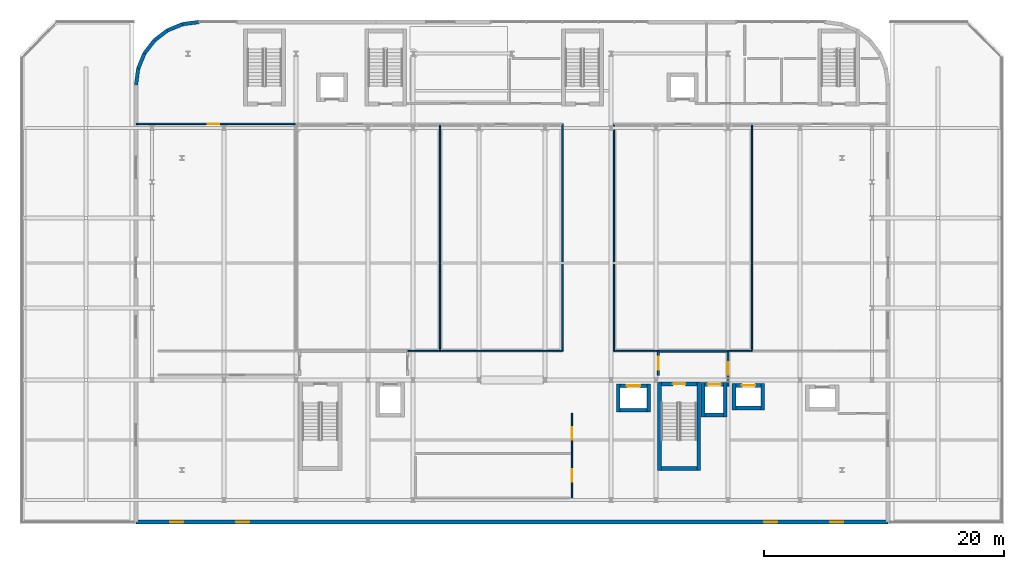
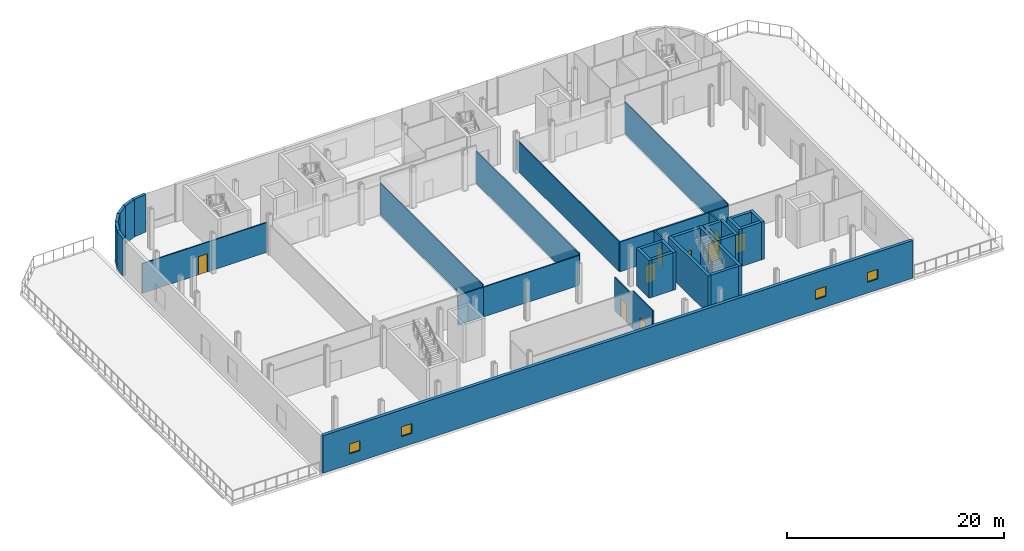
# One storey, part 16 of 26: 37 walls, 9 doors, 4 windows, 13 openings.
"""IFC4 building model written with IfcOpenShell, lengths in metres."""

from ifc_helpers import new_model, si_unit, direction, frame, frame_2d, origin, place, context, subcontext, project, spatial, rectangle, extrude, material, layer, layer_set, type_object, element, fill, save


model = new_model("IFC4")

# Units and contexts
model_context = context("Model", 3, precision=1e-05, world=origin(), true_north=direction((0.0, 1.0)))
body_context = subcontext(model_context, "Body", "Model", "MODEL_VIEW")
ifc_project = project(units=[si_unit("LENGTHUNIT", "METRE"), si_unit("AREAUNIT", "SQUARE_METRE"), si_unit("VOLUMEUNIT", "CUBIC_METRE"), si_unit("PLANEANGLEUNIT", "RADIAN"), si_unit("MASSUNIT", "GRAM", prefix="KILO")], contexts=[model_context])

# Site, building, storey
site_placement = place(None, origin())
site = spatial("IfcSite", under=ifc_project, at=site_placement, CompositionType="ELEMENT")
building_placement = place(site_placement, origin())
building = spatial("IfcBuilding", under=site, at=building_placement, Name="Brevholm Reach", CompositionType="ELEMENT")
storey_placement = place(building_placement, frame((0.0, 0.0, 18.0)))
storey = spatial("IfcBuildingStorey", under=building, at=storey_placement, Name="L04", CompositionType="ELEMENT", Elevation=18.0)

# Walls
ifc_material_1 = material(Name="Concrete C60/75", Category="concrete")
ifc_layer_1 = layer(ifc_material_1, 0.320068359375)
ifc_layer_set_1 = layer_set([ifc_layer_1], Name="Concrete C60/75")
wall_type_1 = type_object("IfcWallType", Name="WAL-COR-320", PredefinedType="SHEAR", material=ifc_layer_set_1)
for number, where, z_axis, x_axis, name in (
    (1, (42.2900390625, 2.4599609375, 0.0), (0.0, 0.0, 1.0), (0.0, 1.0, 0.0), "L04 Escape Stair ST-2 Core Wall W"),
    (2, (45.56005859375, 2.4599609375, 0.0), (0.0, 0.0, 1.0), (0.0, 1.0, 0.0), "L04 Escape Stair ST-2 Core Wall E"),
):
    element("IfcWall", number, at=place(storey_placement, frame(where, z_axis=z_axis, x_axis=x_axis)), inside=storey, type_object=wall_type_1, Name=name, PredefinedType="SHEAR", context=body_context, shape_type="SweptSolid", body=[
        extrude(rectangle(XDim=7.360107421875, YDim=0.320068359375, at=frame_2d((3.68017578125, 0.0))), origin(), (0.0, 0.0, 1.0), 4.219970703125),
    ])
wall_1_placement = place(storey_placement, frame((42.449951171875, 2.6201171875, 0.0), z_axis=(0.0, 0.0, 1.0), x_axis=(1.0, 0.0, 0.0)))
element("IfcWall", 3, at=wall_1_placement, inside=storey, type_object=wall_type_1, Name="L04 Escape Stair ST-2 Core Wall S", PredefinedType="SHEAR", context=body_context, shape_type="SweptSolid", body=[
    extrude(rectangle(XDim=2.949951171875, YDim=0.320068359375, at=frame_2d((1.47509765625, 0.0))), origin(), (0.0, 0.0, 1.0), 4.219970703125),
])

# Wall, opening, door
wall_2_placement = place(storey_placement, frame((45.39990234375, 9.659912109375, 0.0), z_axis=(0.0, 0.0, 1.0), x_axis=(-1.0, 0.0, 0.0)))
wall_2 = element("IfcWall", 4, at=wall_2_placement, inside=storey, type_object=wall_type_1, Name="L04 Escape Stair ST-2 Core Wall N", PredefinedType="SHEAR", context=body_context, shape_type="SweptSolid", body=[
    extrude(rectangle(XDim=2.949951171875, YDim=0.320068359375, at=frame_2d((1.47509765625, 0.0))), origin(), (0.0, 0.0, 1.0), 4.219970703125),
])
opening_1_placement = place(wall_2_placement, frame((0.949951171875, 0.0, 0.0)))
opening_1 = element("IfcOpeningElement", 5, at=opening_1_placement, cuts=wall_2, Name="Opening SD-ST-2", PredefinedType="OPENING", context=body_context, shape_type="SweptSolid", body=[
    extrude(rectangle(XDim=1.050048828125, YDim=2.06005859375, at=frame_2d((0.52490234375, 1.030029296875))), frame((0.0, 0.169921875, 0.0), z_axis=(0.0, -1.0, 0.0), x_axis=(1.0, 0.0, 0.0)), (0.0, 0.0, 1.0), 0.340087890625),
])
ifc_material_2 = material(Name="Hardwood-Lipped Steel-Core Fire and Smoke Door", Category="steel")
door_type_1 = type_object("IfcDoorType", Name="DOR-INT-FD60S", OperationType="NOTDEFINED", PredefinedType="DOOR", material=ifc_material_2)
door_1_placement = place(opening_1_placement, origin())
door_1 = element("IfcDoor", 6, at=door_1_placement, inside=storey, type_object=door_type_1, Name="L04 Protected Stair ST-2 Lobby Door", OperationType="SINGLE_SWING_LEFT", OverallHeight=2.06005859375, OverallWidth=1.050048828125, PredefinedType="DOOR", context=body_context, shape_type="SweptSolid", body=[
    extrude(rectangle(XDim=1.050048828125, YDim=2.06005859375, at=frame_2d((0.52490234375, 1.030029296875))), frame((0.0, 0.02490234375, 0.0), z_axis=(0.0, -1.0, 0.0), x_axis=(1.0, 0.0, 0.0)), (0.0, 0.0, 1.0), 0.050048828125),
])
fill(opening_1, door_1)

# Walls
for number, where, z_axis, x_axis, name in (
    (7, (45.929931640625, 6.919921875, 0.0), (0.0, 0.0, 1.0), (0.0, 1.0, 0.0), "L04 Lift FFL-2 Shaft Wall W"),
    (8, (47.77001953125, 6.919921875, 0.0), (0.0, 0.0, 1.0), (0.0, 1.0, 0.0), "L04 Lift FFL-2 Shaft Wall E"),
):
    element("IfcWall", number, at=place(storey_placement, frame(where, z_axis=z_axis, x_axis=x_axis)), inside=storey, type_object=wall_type_1, Name=name, PredefinedType="SHEAR", context=body_context, shape_type="SweptSolid", body=[
        extrude(rectangle(XDim=2.860107421875, YDim=0.320068359375, at=frame_2d((1.43017578125, 0.0))), origin(), (0.0, 0.0, 1.0), 4.219970703125),
    ])
wall_3_placement = place(storey_placement, frame((46.090087890625, 7.080078125, 0.0), z_axis=(0.0, 0.0, 1.0), x_axis=(1.0, 0.0, 0.0)))
element("IfcWall", 9, at=wall_3_placement, inside=storey, type_object=wall_type_1, Name="L04 Lift FFL-2 Shaft Wall S", PredefinedType="SHEAR", context=body_context, shape_type="SweptSolid", body=[
    extrude(rectangle(XDim=1.52001953125, YDim=0.320068359375, at=frame_2d((0.760009765625, 0.0))), origin(), (0.0, 0.0, 1.0), 4.219970703125),
])

# Wall, opening, door
wall_4_placement = place(storey_placement, frame((46.090087890625, 9.6201171875, 0.0), z_axis=(0.0, 0.0, 1.0), x_axis=(1.0, 0.0, 0.0)))
wall_4 = element("IfcWall", 10, at=wall_4_placement, inside=storey, type_object=wall_type_1, Name="L04 Lift FFL-2 Shaft Wall N", PredefinedType="SHEAR", context=body_context, shape_type="SweptSolid", body=[
    extrude(rectangle(XDim=1.52001953125, YDim=0.320068359375, at=frame_2d((0.760009765625, 0.0))), origin(), (0.0, 0.0, 1.0), 4.219970703125),
])
opening_2_placement = place(wall_4_placement, frame((0.2099609375, 0.0, 0.0)))
opening_2 = element("IfcOpeningElement", 11, at=opening_2_placement, cuts=wall_4, Name="Opening LD-FFL-2", PredefinedType="OPENING", context=body_context, shape_type="SweptSolid", body=[
    extrude(rectangle(XDim=1.10009765625, YDim=2.06005859375, at=frame_2d((0.550048828125, 1.030029296875))), frame((0.0, 0.169921875, 0.0), z_axis=(0.0, -1.0, 0.0), x_axis=(1.0, 0.0, 0.0)), (0.0, 0.0, 1.0), 0.340087890625),
])
ifc_material_3 = material(Name="Brushed Stainless Steel Fire-Rated Sliding Lift Door", Category="steel")
door_type_2 = type_object("IfcDoorType", Name="DOR-LFT-1100", OperationType="NOTDEFINED", PredefinedType="DOOR", material=ifc_material_3)
door_2_placement = place(opening_2_placement, origin())
door_2 = element("IfcDoor", 12, at=door_2_placement, inside=storey, type_object=door_type_2, Name="L04 Lift FFL-2 Sliding Landing Door", OperationType="SLIDING_TO_LEFT", OverallHeight=2.06005859375, OverallWidth=1.10009765625, PredefinedType="DOOR", context=body_context, shape_type="SweptSolid", body=[
    extrude(rectangle(XDim=1.10009765625, YDim=2.06005859375, at=frame_2d((0.550048828125, 1.030029296875))), frame((0.0, 0.02490234375, 0.0), z_axis=(0.0, -1.0, 0.0), x_axis=(1.0, 0.0, 0.0)), (0.0, 0.0, 1.0), 0.050048828125),
])
fill(opening_2, door_2)

# Walls
for number, where, z_axis, x_axis, name in (
    (13, (48.5048828125, 7.4951171875, 0.0), (0.0, 0.0, 1.0), (0.0, 1.0, 0.0), "L04 Lift PL-L1 Shaft Wall W"),
    (14, (50.89501953125, 7.4951171875, 0.0), (0.0, 0.0, 1.0), (0.0, 1.0, 0.0), "L04 Lift PL-L1 Shaft Wall E"),
):
    element("IfcWall", number, at=place(storey_placement, frame(where, z_axis=z_axis, x_axis=x_axis)), inside=storey, type_object=wall_type_1, Name=name, PredefinedType="SHEAR", context=body_context, shape_type="SweptSolid", body=[
        extrude(rectangle(XDim=2.2099609375, YDim=0.320068359375, at=frame_2d((1.10498046875, 0.0))), origin(), (0.0, 0.0, 1.0), 4.219970703125),
    ])
wall_5_placement = place(storey_placement, frame((48.6650390625, 7.655029296875, 0.0), z_axis=(0.0, 0.0, 1.0), x_axis=(1.0, 0.0, 0.0)))
element("IfcWall", 15, at=wall_5_placement, inside=storey, type_object=wall_type_1, Name="L04 Lift PL-L1 Shaft Wall S", PredefinedType="SHEAR", context=body_context, shape_type="SweptSolid", body=[
    extrude(rectangle(XDim=2.070068359375, YDim=0.320068359375, at=frame_2d((1.03515625, 0.0))), origin(), (0.0, 0.0, 1.0), 4.219970703125),
])

# Wall, opening, door
wall_6_placement = place(storey_placement, frame((48.6650390625, 9.544921875, 0.0), z_axis=(0.0, 0.0, 1.0), x_axis=(1.0, 0.0, 0.0)))
wall_6 = element("IfcWall", 16, at=wall_6_placement, inside=storey, type_object=wall_type_1, Name="L04 Lift PL-L1 Shaft Wall N", PredefinedType="SHEAR", context=body_context, shape_type="SweptSolid", body=[
    extrude(rectangle(XDim=2.070068359375, YDim=0.320068359375, at=frame_2d((1.03515625, 0.0))), origin(), (0.0, 0.0, 1.0), 4.219970703125),
])
opening_3_placement = place(wall_6_placement, frame((0.485107421875, 0.0, 0.0)))
opening_3 = element("IfcOpeningElement", 17, at=opening_3_placement, cuts=wall_6, Name="Opening LD-PL-L1", PredefinedType="OPENING", context=body_context, shape_type="SweptSolid", body=[
    extrude(rectangle(XDim=1.10009765625, YDim=2.06005859375, at=frame_2d((0.550048828125, 1.030029296875))), frame((0.0, 0.169921875, 0.0), z_axis=(0.0, -1.0, 0.0), x_axis=(1.0, 0.0, 0.0)), (0.0, 0.0, 1.0), 0.340087890625),
])
door_3_placement = place(opening_3_placement, origin())
door_3 = element("IfcDoor", 18, at=door_3_placement, inside=storey, type_object=door_type_2, Name="L04 Lift PL-L1 Sliding Landing Door", OperationType="SLIDING_TO_RIGHT", OverallHeight=2.06005859375, OverallWidth=1.10009765625, PredefinedType="DOOR", context=body_context, shape_type="SweptSolid", body=[
    extrude(rectangle(XDim=1.10009765625, YDim=2.06005859375, at=frame_2d((0.550048828125, 1.030029296875))), frame((0.0, 0.02490234375, 0.0), z_axis=(0.0, -1.0, 0.0), x_axis=(1.0, 0.0, 0.0)), (0.0, 0.0, 1.0), 0.050048828125),
])
fill(opening_3, door_3)

# Walls
for number, where, z_axis, x_axis, name in (
    (19, (38.85009765625, 7.320068359375, 0.0), (0.0, 0.0, 1.0), (0.0, 1.0, 0.0), "L04 Lift PL-S1 Shaft Wall W"),
    (20, (41.389892578125, 7.320068359375, 0.0), (0.0, 0.0, 1.0), (0.0, 1.0, 0.0), "L04 Lift PL-S1 Shaft Wall E"),
):
    element("IfcWall", number, at=place(storey_placement, frame(where, z_axis=z_axis, x_axis=x_axis)), inside=storey, type_object=wall_type_1, Name=name, PredefinedType="SHEAR", context=body_context, shape_type="SweptSolid", body=[
        extrude(rectangle(XDim=2.35986328125, YDim=0.320068359375, at=frame_2d((1.179931640625, 0.0))), origin(), (0.0, 0.0, 1.0), 4.219970703125),
    ])
wall_7_placement = place(storey_placement, frame((39.010009765625, 7.47998046875, 0.0), z_axis=(0.0, 0.0, 1.0), x_axis=(1.0, 0.0, 0.0)))
element("IfcWall", 21, at=wall_7_placement, inside=storey, type_object=wall_type_1, Name="L04 Lift PL-S1 Shaft Wall S", PredefinedType="SHEAR", context=body_context, shape_type="SweptSolid", body=[
    extrude(rectangle(XDim=2.219970703125, YDim=0.320068359375, at=frame_2d((1.10986328125, 0.0))), origin(), (0.0, 0.0, 1.0), 4.219970703125),
])

# Wall, opening, door
wall_8_placement = place(storey_placement, frame((39.010009765625, 9.52001953125, 0.0), z_axis=(0.0, 0.0, 1.0), x_axis=(1.0, 0.0, 0.0)))
wall_8 = element("IfcWall", 22, at=wall_8_placement, inside=storey, type_object=wall_type_1, Name="L04 Lift PL-S1 Shaft Wall N", PredefinedType="SHEAR", context=body_context, shape_type="SweptSolid", body=[
    extrude(rectangle(XDim=2.219970703125, YDim=0.320068359375, at=frame_2d((1.10986328125, 0.0))), origin(), (0.0, 0.0, 1.0), 4.219970703125),
])
opening_4_placement = place(wall_8_placement, frame((0.56005859375, 0.0, 0.0)))
opening_4 = element("IfcOpeningElement", 23, at=opening_4_placement, cuts=wall_8, Name="Opening LD-PL-S1", PredefinedType="OPENING", context=body_context, shape_type="SweptSolid", body=[
    extrude(rectangle(XDim=1.10009765625, YDim=2.06005859375, at=frame_2d((0.550048828125, 1.030029296875))), frame((0.0, 0.169921875, 0.0), z_axis=(0.0, -1.0, 0.0), x_axis=(1.0, 0.0, 0.0)), (0.0, 0.0, 1.0), 0.340087890625),
])
door_4_placement = place(opening_4_placement, origin())
door_4 = element("IfcDoor", 24, at=door_4_placement, inside=storey, type_object=door_type_2, Name="L04 Lift PL-S1 Sliding Landing Door", OperationType="SLIDING_TO_RIGHT", OverallHeight=2.06005859375, OverallWidth=1.10009765625, PredefinedType="DOOR", context=body_context, shape_type="SweptSolid", body=[
    extrude(rectangle(XDim=1.10009765625, YDim=2.06005859375, at=frame_2d((0.550048828125, 1.030029296875))), frame((0.0, 0.02490234375, 0.0), z_axis=(0.0, -1.0, 0.0), x_axis=(1.0, 0.0, 0.0)), (0.0, 0.0, 1.0), 0.050048828125),
])
fill(opening_4, door_4)

# Walls
ifc_material_4 = material(Name="Concrete C40/50", Category="concrete")
ifc_layer_2 = layer(ifc_material_4, 0.300048828125)
ifc_layer_set_2 = layer_set([ifc_layer_2], Name="Concrete C40/50")
wall_type_2 = type_object("IfcWallType", Name="WAL-EXT-300", PredefinedType="STANDARD", material=ifc_layer_set_2)
wall_9_placement = place(storey_placement, frame((-1.330078125, 34.60009765625, 0.0), z_axis=(0.0, 0.0, 1.0), x_axis=(0.13054703207, 0.991442117533, 0.0)))
element("IfcWall", 25, at=wall_9_placement, inside=storey, type_object=wall_type_2, Name="L04 Facade Wall WAL-L04-NWP-1", PredefinedType="STANDARD", context=body_context, shape_type="SweptSolid", body=[
    extrude(rectangle(XDim=1.365234375, YDim=0.300048828125, at=frame_2d((0.6826171875, 0.0))), origin(), (0.0, 0.0, 1.0), 4.219970703125),
])
wall_10_placement = place(storey_placement, frame((-1.15185546875, 35.95361328125, 0.0), z_axis=(0.0, 0.0, 1.0), x_axis=(0.382646577594, 0.923894797396, 0.0)))
element("IfcWall", 26, at=wall_10_placement, inside=storey, type_object=wall_type_2, Name="L04 Facade Wall WAL-L04-NWP-2", PredefinedType="STANDARD", context=body_context, shape_type="SweptSolid", body=[
    extrude(rectangle(XDim=1.365478515625, YDim=0.300048828125, at=frame_2d((0.6826171875, 0.0))), origin(), (0.0, 0.0, 1.0), 4.219970703125),
])
for number, where, z_axis, x_axis, name in (
    (27, (-0.62939453125, 37.215087890625, 0.0), (0.0, 0.0, 1.0), (0.6088894473, 0.793255091989, 0.0), "L04 Facade Wall WAL-L04-NWP-3"),
    (28, (0.201904296875, 38.298095703125, 0.0), (0.0, 0.0, 1.0), (0.793255091989, 0.6088894473, 0.0), "L04 Facade Wall WAL-L04-NWP-4"),
):
    element("IfcWall", number, at=place(storey_placement, frame(where, z_axis=z_axis, x_axis=x_axis)), inside=storey, type_object=wall_type_2, Name=name, PredefinedType="STANDARD", context=body_context, shape_type="SweptSolid", body=[
        extrude(rectangle(XDim=1.365234375, YDim=0.300048828125, at=frame_2d((0.6826171875, 0.0))), origin(), (0.0, 0.0, 1.0), 4.219970703125),
    ])
wall_11_placement = place(storey_placement, frame((1.284912109375, 39.12939453125, 0.0), z_axis=(0.0, 0.0, 1.0), x_axis=(0.923894797396, 0.382646577594, 0.0)))
element("IfcWall", 29, at=wall_11_placement, inside=storey, type_object=wall_type_2, Name="L04 Facade Wall WAL-L04-NWP-5", PredefinedType="STANDARD", context=body_context, shape_type="SweptSolid", body=[
    extrude(rectangle(XDim=1.365478515625, YDim=0.300048828125, at=frame_2d((0.6826171875, 0.0))), origin(), (0.0, 0.0, 1.0), 4.219970703125),
])
wall_12_placement = place(storey_placement, frame((2.54638671875, 39.65185546875, 0.0), z_axis=(0.0, 0.0, 1.0), x_axis=(0.991442117533, 0.13054703207, 0.0)))
element("IfcWall", 30, at=wall_12_placement, inside=storey, type_object=wall_type_2, Name="L04 Facade Wall WAL-L04-NWP-6", PredefinedType="STANDARD", context=body_context, shape_type="SweptSolid", body=[
    extrude(rectangle(XDim=1.365234375, YDim=0.300048828125, at=frame_2d((0.6826171875, 0.0))), origin(), (0.0, 0.0, 1.0), 4.219970703125),
])

# Wall, openings, windows
ifc_material_5 = material(Name="Concrete C40/50", Category="concrete")
ifc_layer_3 = layer(ifc_material_5, 0.340087890625)
ifc_layer_set_3 = layer_set([ifc_layer_3], Name="Concrete C40/50")
wall_type_3 = type_object("IfcWallType", Name="WAL-EXT-340", PredefinedType="STANDARD", material=ifc_layer_set_3)
wall_13_placement = place(storey_placement, frame((-1.330078125, -1.830078125, 0.0), z_axis=(0.0, 0.0, 1.0), x_axis=(1.0, 0.0, 0.0)))
wall_13 = element("IfcWall", 31, at=wall_13_placement, inside=storey, type_object=wall_type_3, Name="L04 Facade Wall WAL-L04-S", PredefinedType="STANDARD", context=body_context, shape_type="SweptSolid", body=[
    extrude(rectangle(XDim=62.66015625, YDim=0.340087890625, at=frame_2d((31.330078125, 0.0))), origin(), (0.0, 0.0, 1.0), 4.219970703125),
])
opening_5_placement = place(wall_13_placement, frame((2.830078125, 0.0, 1.199951171875)))
opening_5 = element("IfcOpeningElement", 32, at=opening_5_placement, cuts=wall_13, Name="Opening WN-10", PredefinedType="OPENING", context=body_context, shape_type="SweptSolid", body=[
    extrude(rectangle(XDim=1.10009765625, YDim=1.10009765625, at=frame_2d((0.550048828125, 0.550048828125))), frame((0.0, 0.179931640625, 0.0), z_axis=(0.0, -1.0, 0.0), x_axis=(1.0, 0.0, 0.0)), (0.0, 0.0, 1.0), 0.360107421875),
])
opening_6_placement = place(wall_13_placement, frame((8.330078125, 0.0, 1.199951171875)))
opening_6 = element("IfcOpeningElement", 33, at=opening_6_placement, cuts=wall_13, Name="Opening WN-10", PredefinedType="OPENING", context=body_context, shape_type="SweptSolid", body=[
    extrude(rectangle(XDim=1.10009765625, YDim=1.10009765625, at=frame_2d((0.550048828125, 0.550048828125))), frame((0.0, 0.179931640625, 0.0), z_axis=(0.0, -1.0, 0.0), x_axis=(1.0, 0.0, 0.0)), (0.0, 0.0, 1.0), 0.360107421875),
])
opening_7_placement = place(wall_13_placement, frame((52.330078125, 0.0, 1.199951171875)))
opening_7 = element("IfcOpeningElement", 34, at=opening_7_placement, cuts=wall_13, Name="Opening WN-10", PredefinedType="OPENING", context=body_context, shape_type="SweptSolid", body=[
    extrude(rectangle(XDim=1.10009765625, YDim=1.10009765625, at=frame_2d((0.550048828125, 0.550048828125))), frame((0.0, 0.179931640625, 0.0), z_axis=(0.0, -1.0, 0.0), x_axis=(1.0, 0.0, 0.0)), (0.0, 0.0, 1.0), 0.360107421875),
])
opening_8_placement = place(wall_13_placement, frame((57.830078125, 0.0, 1.199951171875)))
opening_8 = element("IfcOpeningElement", 35, at=opening_8_placement, cuts=wall_13, Name="Opening WN-10", PredefinedType="OPENING", context=body_context, shape_type="SweptSolid", body=[
    extrude(rectangle(XDim=1.10009765625, YDim=1.10009765625, at=frame_2d((0.550048828125, 0.550048828125))), frame((0.0, 0.179931640625, 0.0), z_axis=(0.0, -1.0, 0.0), x_axis=(1.0, 0.0, 0.0)), (0.0, 0.0, 1.0), 0.360107421875),
])
ifc_material_6 = material(Name="Dark Anodised Aluminium and Solar-Control IGU Glass", Category="aluminium")
window_type = type_object("IfcWindowType", Name="WIN-POR-1100", PartitioningType="SINGLE_PANEL", PredefinedType="WINDOW", material=ifc_material_6)
window_1_placement = place(opening_5_placement, origin())
window_1 = element("IfcWindow", 36, at=window_1_placement, inside=storey, type_object=window_type, Name="L04 Window WIN-L04-S-1", OverallHeight=1.10009765625, OverallWidth=1.10009765625, PartitioningType="SINGLE_PANEL", PredefinedType="WINDOW", context=body_context, shape_type="SweptSolid", body=[
    extrude(rectangle(XDim=1.10009765625, YDim=1.10009765625, at=frame_2d((0.550048828125, 0.550048828125))), frame((0.0, 0.030029296875, 0.0), z_axis=(0.0, -1.0, 0.0), x_axis=(1.0, 0.0, 0.0)), (0.0, 0.0, 1.0), 0.06005859375),
])
fill(opening_5, window_1)
window_2_placement = place(opening_6_placement, origin())
window_2 = element("IfcWindow", 37, at=window_2_placement, inside=storey, type_object=window_type, Name="L04 Window WIN-L04-S-2", OverallHeight=1.10009765625, OverallWidth=1.10009765625, PartitioningType="SINGLE_PANEL", PredefinedType="WINDOW", context=body_context, shape_type="SweptSolid", body=[
    extrude(rectangle(XDim=1.10009765625, YDim=1.10009765625, at=frame_2d((0.550048828125, 0.550048828125))), frame((0.0, 0.030029296875, 0.0), z_axis=(0.0, -1.0, 0.0), x_axis=(1.0, 0.0, 0.0)), (0.0, 0.0, 1.0), 0.06005859375),
])
fill(opening_6, window_2)
window_3_placement = place(opening_7_placement, origin())
window_3 = element("IfcWindow", 38, at=window_3_placement, inside=storey, type_object=window_type, Name="L04 Window WIN-L04-S-3", OverallHeight=1.10009765625, OverallWidth=1.10009765625, PartitioningType="SINGLE_PANEL", PredefinedType="WINDOW", context=body_context, shape_type="SweptSolid", body=[
    extrude(rectangle(XDim=1.10009765625, YDim=1.10009765625, at=frame_2d((0.550048828125, 0.550048828125))), frame((0.0, 0.030029296875, 0.0), z_axis=(0.0, -1.0, 0.0), x_axis=(1.0, 0.0, 0.0)), (0.0, 0.0, 1.0), 0.06005859375),
])
fill(opening_7, window_3)
window_4_placement = place(opening_8_placement, origin())
window_4 = element("IfcWindow", 39, at=window_4_placement, inside=storey, type_object=window_type, Name="L04 Window WIN-L04-S-4", OverallHeight=1.10009765625, OverallWidth=1.10009765625, PartitioningType="SINGLE_PANEL", PredefinedType="WINDOW", context=body_context, shape_type="SweptSolid", body=[
    extrude(rectangle(XDim=1.10009765625, YDim=1.10009765625, at=frame_2d((0.550048828125, 0.550048828125))), frame((0.0, 0.030029296875, 0.0), z_axis=(0.0, -1.0, 0.0), x_axis=(1.0, 0.0, 0.0)), (0.0, 0.0, 1.0), 0.06005859375),
])
fill(opening_8, window_4)

# Walls
ifc_material_7 = material(Name="Moisture-Resistant Acoustic Gypsum Stud Partition 100 mm", Category="gypsum")
ifc_layer_4 = layer(ifc_material_7, 0.10009765625)
ifc_layer_set_4 = layer_set([ifc_layer_4], Name="Moisture-Resistant Acoustic Gypsum Stud Partition 100 mm")
wall_type_4 = type_object("IfcWallType", Name="WAL-PRT-100", PredefinedType="PARTITIONING", material=ifc_layer_set_4)
for number, where, z_axis, x_axis, name in (
    (40, (24.0, 12.404052734375, 0.0), (0.0, 0.0, 1.0), (0.0, 1.0, 0.0), "L04 Internal Partition 037"),
    (41, (50.0, 12.404052734375, 0.0), (0.0, 0.0, 1.0), (0.0, 1.0, 0.0), "L04 Internal Partition 038"),
):
    element("IfcWall", number, at=place(storey_placement, frame(where, z_axis=z_axis, x_axis=x_axis)), inside=storey, type_object=wall_type_4, Name=name, PredefinedType="PARTITIONING", context=body_context, shape_type="SweptSolid", body=[
        extrude(rectangle(XDim=18.94189453125, YDim=0.10009765625, at=frame_2d((9.470947265625, 0.0))), origin(), (0.0, 0.0, 1.0), 3.582763671875),
    ])

# Wall, opening, door
ifc_material_8 = material(Name="Acoustic Fire-Rated Classroom Gypsum Partition 120 mm", Category="gypsum")
ifc_layer_5 = layer(ifc_material_8, 0.1201171875)
ifc_layer_set_5 = layer_set([ifc_layer_5], Name="Acoustic Fire-Rated Classroom Gypsum Partition 120 mm")
wall_type_5 = type_object("IfcWallType", Name="WAL-PRT-120", PredefinedType="PARTITIONING", material=ifc_layer_set_5)
wall_14_placement = place(storey_placement, frame((35.0, 0.179931640625, 0.0), z_axis=(0.0, 0.0, 1.0), x_axis=(0.0, 1.0, 0.0)))
wall_14 = element("IfcWall", 42, at=wall_14_placement, inside=storey, type_object=wall_type_5, Name="L04 Internal Partition 001", PredefinedType="PARTITIONING", context=body_context, shape_type="SweptSolid", body=[
    extrude(rectangle(XDim=3.69140625, YDim=0.1201171875, at=frame_2d((1.845703125, 0.0))), origin(), (0.0, 0.0, 1.0), 4.219970703125),
])
opening_9_placement = place(wall_14_placement, frame((1.32080078125, 0.0, 0.0)))
opening_9 = element("IfcOpeningElement", 43, at=opening_9_placement, cuts=wall_14, Name="Opening FD-01", PredefinedType="OPENING", context=body_context, shape_type="SweptSolid", body=[
    extrude(rectangle(XDim=1.050048828125, YDim=2.06005859375, at=frame_2d((0.52490234375, 1.030029296875))), frame((0.0, 0.070068359375, 0.0), z_axis=(0.0, -1.0, 0.0), x_axis=(1.0, 0.0, 0.0)), (0.0, 0.0, 1.0), 0.14013671875),
])
door_5_placement = place(opening_9_placement, origin())
door_5 = element("IfcDoor", 44, at=door_5_placement, inside=storey, type_object=door_type_1, Name="L04 Internal Door 001", OperationType="SINGLE_SWING_LEFT", OverallHeight=2.06005859375, OverallWidth=1.050048828125, PredefinedType="DOOR", context=body_context, shape_type="SweptSolid", body=[
    extrude(rectangle(XDim=1.050048828125, YDim=2.06005859375, at=frame_2d((0.52490234375, 1.030029296875))), frame((0.0, 0.02490234375, 0.0), z_axis=(0.0, -1.0, 0.0), x_axis=(1.0, 0.0, 0.0)), (0.0, 0.0, 1.0), 0.050048828125),
])
fill(opening_9, door_5)

wall_15_placement = place(storey_placement, frame((35.0, 3.852783203125, 0.0), z_axis=(0.0, 0.0, 1.0), x_axis=(0.0, 1.0, 0.0)))
wall_15 = element("IfcWall", 45, at=wall_15_placement, inside=storey, type_object=wall_type_5, Name="L04 Internal Partition 002", PredefinedType="PARTITIONING", context=body_context, shape_type="SweptSolid", body=[
    extrude(rectangle(XDim=3.3583984375, YDim=0.1201171875, at=frame_2d((1.67919921875, 0.0))), origin(), (0.0, 0.0, 1.0), 3.738037109375),
])
opening_10_placement = place(wall_15_placement, frame((1.154296875, 0.0, 0.0)))
opening_10 = element("IfcOpeningElement", 46, at=opening_10_placement, cuts=wall_15, Name="Opening FD-01", PredefinedType="OPENING", context=body_context, shape_type="SweptSolid", body=[
    extrude(rectangle(XDim=1.050048828125, YDim=2.06005859375, at=frame_2d((0.52490234375, 1.030029296875))), frame((0.0, 0.070068359375, 0.0), z_axis=(0.0, -1.0, 0.0), x_axis=(1.0, 0.0, 0.0)), (0.0, 0.0, 1.0), 0.14013671875),
])
door_6_placement = place(opening_10_placement, origin())
door_6 = element("IfcDoor", 47, at=door_6_placement, inside=storey, type_object=door_type_1, Name="L04 Internal Door 002", OperationType="SINGLE_SWING_RIGHT", OverallHeight=2.06005859375, OverallWidth=1.050048828125, PredefinedType="DOOR", context=body_context, shape_type="SweptSolid", body=[
    extrude(rectangle(XDim=1.050048828125, YDim=2.06005859375, at=frame_2d((0.52490234375, 1.030029296875))), frame((0.0, 0.02490234375, 0.0), z_axis=(0.0, -1.0, 0.0), x_axis=(1.0, 0.0, 0.0)), (0.0, 0.0, 1.0), 0.050048828125),
])
fill(opening_10, door_6)

wall_16_placement = place(storey_placement, frame((-1.300048828125, 31.35009765625, 0.0), z_axis=(0.0, 0.0, 1.0), x_axis=(1.0, 0.0, 0.0)))
wall_16 = element("IfcWall", 48, at=wall_16_placement, inside=storey, type_object=wall_type_5, Name="L04 Internal Partition 017", PredefinedType="PARTITIONING", context=body_context, shape_type="SweptSolid", body=[
    extrude(rectangle(XDim=13.311279296875, YDim=0.1201171875, at=frame_2d((6.65576171875, 0.0))), origin(), (0.0, 0.0, 1.0), 3.343994140625),
])
opening_11_placement = place(wall_16_placement, frame((5.960693359375, 0.0, 0.0)))
opening_11 = element("IfcOpeningElement", 49, at=opening_11_placement, cuts=wall_16, Name="Opening ID-30", PredefinedType="OPENING", context=body_context, shape_type="SweptSolid", body=[
    extrude(rectangle(XDim=0.949951171875, YDim=2.050048828125, at=frame_2d((0.47509765625, 1.02490234375))), frame((0.0, 0.070068359375, 0.0), z_axis=(0.0, -1.0, 0.0), x_axis=(1.0, 0.0, 0.0)), (0.0, 0.0, 1.0), 0.14013671875),
])
ifc_material_9 = material(Name="European Oak Veneered Solid-Core Fire Entrance Door", Category="timber")
door_type_3 = type_object("IfcDoorType", Name="DOR-FLT-FD30S", OperationType="NOTDEFINED", PredefinedType="DOOR", material=ifc_material_9)
door_7_placement = place(opening_11_placement, origin())
door_7 = element("IfcDoor", 50, at=door_7_placement, inside=storey, type_object=door_type_3, Name="L04 Internal Door 013", OperationType="SINGLE_SWING_LEFT", OverallHeight=2.050048828125, OverallWidth=0.949951171875, PredefinedType="DOOR", context=body_context, shape_type="SweptSolid", body=[
    extrude(rectangle(XDim=0.949951171875, YDim=2.050048828125, at=frame_2d((0.47509765625, 1.02490234375))), frame((0.0, 0.02490234375, 0.0), z_axis=(0.0, -1.0, 0.0), x_axis=(1.0, 0.0, 0.0)), (0.0, 0.0, 1.0), 0.050048828125),
])
fill(opening_11, door_7)

# Walls
wall_17_placement = place(storey_placement, frame((21.303955078125, 12.39990234375, 0.0), z_axis=(0.0, 0.0, 1.0), x_axis=(1.0, 0.0, 0.0)))
element("IfcWall", 51, at=wall_17_placement, inside=storey, type_object=wall_type_5, Name="L04 Internal Partition 025", PredefinedType="PARTITIONING", context=body_context, shape_type="SweptSolid", body=[
    extrude(rectangle(XDim=2.707275390625, YDim=0.1201171875, at=frame_2d((1.353515625, 0.0))), origin(), (0.0, 0.0, 1.0), 3.343994140625),
])
wall_18_placement = place(storey_placement, frame((23.99267578125, 12.39990234375, 0.0), z_axis=(0.0, 0.0, 1.0), x_axis=(1.0, 0.0, 0.0)))
element("IfcWall", 52, at=wall_18_placement, inside=storey, type_object=wall_type_5, Name="L04 Internal Partition 026", PredefinedType="PARTITIONING", context=body_context, shape_type="SweptSolid", body=[
    extrude(rectangle(XDim=10.214599609375, YDim=0.1201171875, at=frame_2d((5.107421875, 0.0))), origin(), (0.0, 0.0, 1.0), 3.343994140625),
])
wall_19_placement = place(storey_placement, frame((38.49267578125, 12.39990234375, 0.0), z_axis=(0.0, 0.0, 1.0), x_axis=(1.0, 0.0, 0.0)))
element("IfcWall", 53, at=wall_19_placement, inside=storey, type_object=wall_type_5, Name="L04 Internal Partition 027", PredefinedType="PARTITIONING", context=body_context, shape_type="SweptSolid", body=[
    extrude(rectangle(XDim=3.703369140625, YDim=0.1201171875, at=frame_2d((1.8515625, 0.0))), origin(), (0.0, 0.0, 1.0), 3.343994140625),
])
wall_20_placement = place(storey_placement, frame((48.00390625, 12.39990234375, 0.0), z_axis=(0.0, 0.0, 1.0), x_axis=(1.0, 0.0, 0.0)))
element("IfcWall", 54, at=wall_20_placement, inside=storey, type_object=wall_type_5, Name="L04 Internal Partition 028", PredefinedType="PARTITIONING", context=body_context, shape_type="SweptSolid", body=[
    extrude(rectangle(XDim=2.00732421875, YDim=0.1201171875, at=frame_2d((1.003662109375, 0.0))), origin(), (0.0, 0.0, 1.0), 3.343994140625),
])
wall_21_placement = place(storey_placement, frame((34.199951171875, 12.404052734375, 0.0), z_axis=(0.0, 0.0, 1.0), x_axis=(0.0, 1.0, 0.0)))
element("IfcWall", 55, at=wall_21_placement, inside=storey, type_object=wall_type_5, Name="L04 Internal Partition 030", PredefinedType="PARTITIONING", context=body_context, shape_type="SweptSolid", body=[
    extrude(rectangle(XDim=18.94189453125, YDim=0.1201171875, at=frame_2d((9.470947265625, 0.0))), origin(), (0.0, 0.0, 1.0), 3.582763671875),
])
wall_22_placement = place(storey_placement, frame((38.5, 12.404052734375, 0.0), z_axis=(0.0, 0.0, 1.0), x_axis=(0.0, 1.0, 0.0)))
element("IfcWall", 56, at=wall_22_placement, inside=storey, type_object=wall_type_5, Name="L04 Internal Partition 031", PredefinedType="PARTITIONING", context=body_context, shape_type="SweptSolid", body=[
    extrude(rectangle(XDim=18.94189453125, YDim=0.1201171875, at=frame_2d((9.470947265625, 0.0))), origin(), (0.0, 0.0, 1.0), 3.343994140625),
])

# Wall, opening, door
ifc_material_10 = material(Name="Twin-Frame Fire-Rated Gypsum Board and Mineral Wool 160 mm", Category="gypsum")
ifc_layer_6 = layer(ifc_material_10, 0.159912109375)
ifc_layer_set_6 = layer_set([ifc_layer_6], Name="Twin-Frame Fire-Rated Gypsum Board and Mineral Wool 160 mm")
wall_type_6 = type_object("IfcWallType", Name="WAL-PRT-160", PredefinedType="PARTITIONING", material=ifc_layer_set_6)
wall_23_placement = place(storey_placement, frame((42.199951171875, 10.388671875, 0.0), z_axis=(0.0, 0.0, 1.0), x_axis=(0.0, 1.0, 0.0)))
wall_23 = element("IfcWall", 57, at=wall_23_placement, inside=storey, type_object=wall_type_6, Name="L04 Internal Partition 007", PredefinedType="PARTITIONING", context=body_context, shape_type="SweptSolid", body=[
    extrude(rectangle(XDim=2.01123046875, YDim=0.159912109375, at=frame_2d((1.005615234375, 0.0))), origin(), (0.0, 0.0, 1.0), 3.343994140625),
])
opening_12_placement = place(wall_23_placement, frame((0.480712890625, 0.0, 0.0)))
opening_12 = element("IfcOpeningElement", 58, at=opening_12_placement, cuts=wall_23, Name="Opening FD-01", PredefinedType="OPENING", context=body_context, shape_type="SweptSolid", body=[
    extrude(rectangle(XDim=1.050048828125, YDim=2.06005859375, at=frame_2d((0.52490234375, 1.030029296875))), frame((0.0, 0.08984375, 0.0), z_axis=(0.0, -1.0, 0.0), x_axis=(1.0, 0.0, 0.0)), (0.0, 0.0, 1.0), 0.179931640625),
])
door_8_placement = place(opening_12_placement, origin())
door_8 = element("IfcDoor", 59, at=door_8_placement, inside=storey, type_object=door_type_1, Name="L04 Internal Door 005", OperationType="SINGLE_SWING_LEFT", OverallHeight=2.06005859375, OverallWidth=1.050048828125, PredefinedType="DOOR", context=body_context, shape_type="SweptSolid", body=[
    extrude(rectangle(XDim=1.050048828125, YDim=2.06005859375, at=frame_2d((0.52490234375, 1.030029296875))), frame((0.0, 0.02490234375, 0.0), z_axis=(0.0, -1.0, 0.0), x_axis=(1.0, 0.0, 0.0)), (0.0, 0.0, 1.0), 0.050048828125),
])
fill(opening_12, door_8)

wall_24_placement = place(storey_placement, frame((48.0, 9.5, 0.0), z_axis=(0.0, 0.0, 1.0), x_axis=(0.0, 1.0, 0.0)))
wall_24 = element("IfcWall", 60, at=wall_24_placement, inside=storey, type_object=wall_type_6, Name="L04 Internal Partition 008", PredefinedType="PARTITIONING", context=body_context, shape_type="SweptSolid", body=[
    extrude(rectangle(XDim=2.89990234375, YDim=0.159912109375, at=frame_2d((1.449951171875, 0.0))), origin(), (0.0, 0.0, 1.0), 3.343994140625),
])
opening_13_placement = place(wall_24_placement, frame((0.925048828125, 0.0, 0.0)))
opening_13 = element("IfcOpeningElement", 61, at=opening_13_placement, cuts=wall_24, Name="Opening FD-01", PredefinedType="OPENING", context=body_context, shape_type="SweptSolid", body=[
    extrude(rectangle(XDim=1.050048828125, YDim=2.06005859375, at=frame_2d((0.52490234375, 1.030029296875))), frame((0.0, 0.08984375, 0.0), z_axis=(0.0, -1.0, 0.0), x_axis=(1.0, 0.0, 0.0)), (0.0, 0.0, 1.0), 0.179931640625),
])
door_9_placement = place(opening_13_placement, origin())
door_9 = element("IfcDoor", 62, at=door_9_placement, inside=storey, type_object=door_type_1, Name="L04 Internal Door 006", OperationType="SINGLE_SWING_RIGHT", OverallHeight=2.06005859375, OverallWidth=1.050048828125, PredefinedType="DOOR", context=body_context, shape_type="SweptSolid", body=[
    extrude(rectangle(XDim=1.050048828125, YDim=2.06005859375, at=frame_2d((0.52490234375, 1.030029296875))), frame((0.0, 0.02490234375, 0.0), z_axis=(0.0, -1.0, 0.0), x_axis=(1.0, 0.0, 0.0)), (0.0, 0.0, 1.0), 0.050048828125),
])
fill(opening_13, door_9)

# Wall
wall_25_placement = place(storey_placement, frame((42.199951171875, 12.39990234375, 0.0), z_axis=(0.0, 0.0, 1.0), x_axis=(1.0, 0.0, 0.0)))
element("IfcWall", 63, at=wall_25_placement, inside=storey, type_object=wall_type_6, Name="L04 Internal Partition 009", PredefinedType="PARTITIONING", context=body_context, shape_type="SweptSolid", body=[
    extrude(rectangle(XDim=5.800048828125, YDim=0.159912109375, at=frame_2d((2.89990234375, 0.0))), origin(), (0.0, 0.0, 1.0), 3.343994140625),
])

save(model, "model.ifc")
